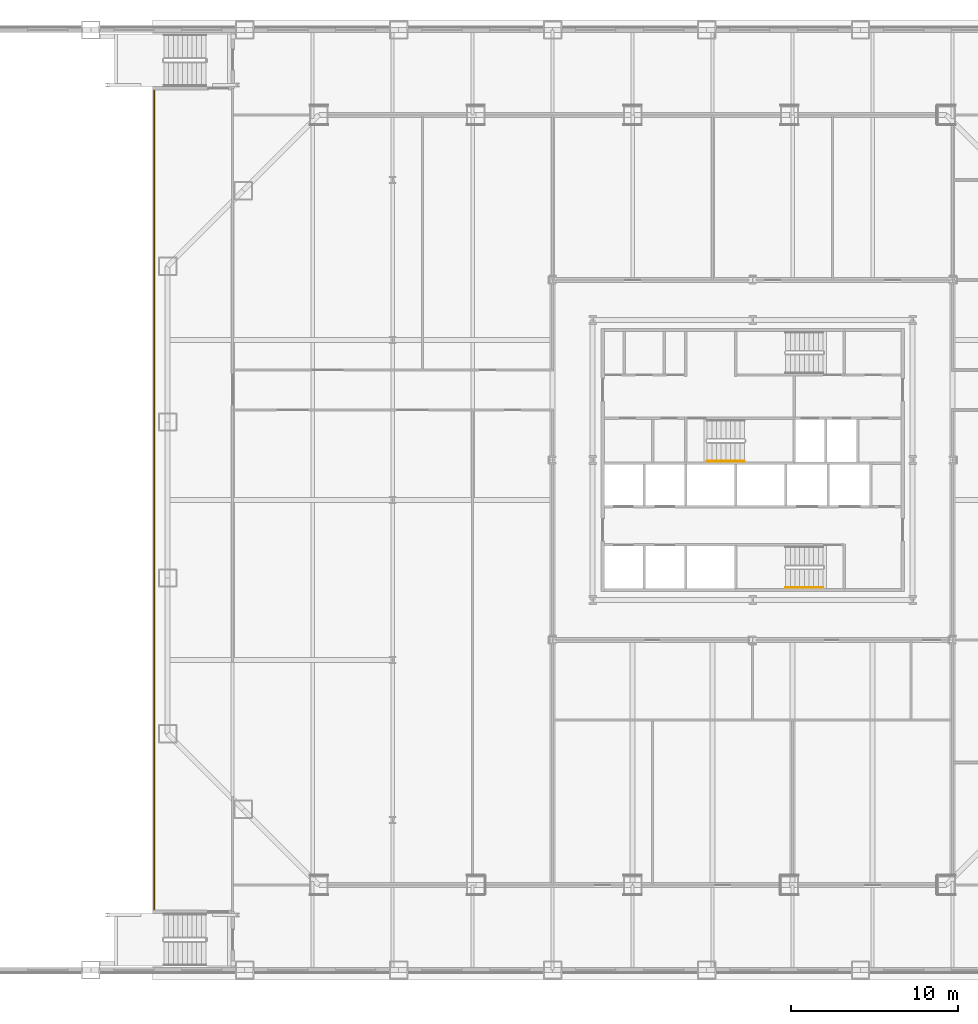
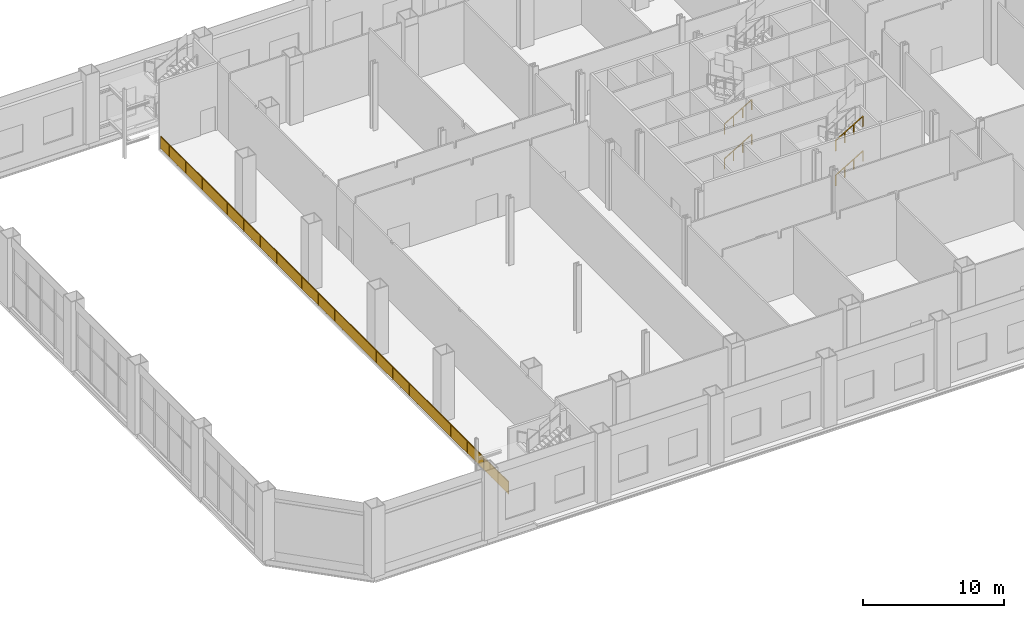
# One storey, part 25 of 31: 5 railings.
"""IFC4 building model written with IfcOpenShell, lengths in metres."""

import ifcopenshell
import ifcopenshell.guid

model = None  # the IFC model being written
_history = None  # IfcOwnerHistory: only IFC2X3 demands one
_inside = {}  # id of a spatial element -> (the spatial element, [elements in it])
_under = {}  # id of a project, library or spatial element -> (it, [spatial elements below it])
_declared = {}  # id of a project -> (the project, [libraries it declares])
_typed = {}  # id of a type object -> (the type object, [elements of that type])
_made_of = {}  # id of a material, layer set ... -> (it, [elements and type objects made of it])


def new_model(schema):
    """Start an empty IFC model of exactly this schema.

    Asked for "IFC4X3", IfcOpenShell would pick the latest addendum, in which some entities
    have other attributes; the version numbers below select the first issue.
    IFC2X3 requires an IfcOwnerHistory on every rooted entity: one is made here for all.
    """
    global model, _history
    if schema == "IFC4X3":
        model = ifcopenshell.file(schema_version=(4, 3, 0, 0))
    else:
        model = ifcopenshell.file(schema=schema)
    _inside.clear()
    _under.clear()
    _declared.clear()
    _typed.clear()
    _made_of.clear()
    _history = None
    if model.schema == "IFC2X3":
        org = make("IfcOrganization", Name="unknown")
        user = make(
            "IfcPersonAndOrganization",
            ThePerson=make("IfcPerson", FamilyName="unknown"),
            TheOrganization=org,
        )
        app = make(
            "IfcApplication",
            ApplicationDeveloper=org,
            Version="unknown",
            ApplicationFullName="unknown",
            ApplicationIdentifier="unknown",
        )
        _history = make(
            "IfcOwnerHistory",
            OwningUser=user,
            OwningApplication=app,
            ChangeAction="ADDED",
            CreationDate=0,
        )
    return model


def make(cls, **values):
    """One entity of the class cls with the attributes given. An attribute that is None is left unset."""
    return model.create_entity(
        cls, **{name: value for name, value in values.items() if value is not None}
    )


def rooted(cls, **values):
    """An entity with a GlobalId (a new one), such as an element, a storey or a relation."""
    return make(cls, GlobalId=ifcopenshell.guid.new(), OwnerHistory=_history, **values)


def si_unit(unit_type, name, prefix=None):
    """IfcSIUnit, for example si_unit("LENGTHUNIT", "METRE", prefix="MILLI")."""
    return make("IfcSIUnit", UnitType=unit_type, Prefix=prefix, Name=name)


def assignment(units):
    """IfcUnitAssignment: the units of a project."""
    return None if units is None else make("IfcUnitAssignment", Units=units)


def point(xyz):
    """IfcCartesianPoint."""
    return None if xyz is None else make("IfcCartesianPoint", Coordinates=xyz)


def direction(xyz):
    """IfcDirection."""
    return None if xyz is None else make("IfcDirection", DirectionRatios=xyz)


def frame(location, z_axis=None, x_axis=None):
    """IfcAxis2Placement3D, a coordinate frame: its origin and axes. An axis left out is left unset."""
    return make(
        "IfcAxis2Placement3D",
        Location=point(location),
        Axis=direction(z_axis),
        RefDirection=direction(x_axis),
    )


def frame_2d(location, x_axis=None):
    """IfcAxis2Placement2D, a coordinate frame in the plane: its origin and x axis."""
    return make(
        "IfcAxis2Placement2D", Location=point(location), RefDirection=direction(x_axis)
    )


def origin():
    """The frame at (0, 0, 0) with its axes left unset."""
    return frame((0.0, 0.0, 0.0))


def origin_2d():
    """The frame at (0, 0) in the plane with its x axis left unset."""
    return frame_2d((0.0, 0.0))


def place(relative_to, where):
    """IfcLocalPlacement: puts the frame where relative to a parent placement (None: the world)."""
    return make(
        "IfcLocalPlacement", PlacementRelTo=relative_to, RelativePlacement=where
    )


def context(
    kind, dimensions, precision=None, world=None, true_north=None, identifier=None
):
    """IfcGeometricRepresentationContext, for example the 3D "Model" context."""
    return make(
        "IfcGeometricRepresentationContext",
        ContextIdentifier=identifier,
        ContextType=kind,
        CoordinateSpaceDimension=dimensions,
        Precision=precision,
        WorldCoordinateSystem=world,
        TrueNorth=true_north,
    )


def subcontext(parent, identifier, kind, view, scale=None):
    """IfcGeometricRepresentationSubContext, for example "Body" below "Model"."""
    return make(
        "IfcGeometricRepresentationSubContext",
        ContextIdentifier=identifier,
        ContextType=kind,
        ParentContext=parent,
        TargetScale=scale,
        TargetView=view,
    )


def project(units=None, contexts=None):
    """IfcProject with its units and contexts."""
    return rooted(
        "IfcProject",
        Name="project",
        RepresentationContexts=contexts,
        UnitsInContext=assignment(units),
    )


def spatial(cls, under=None, at=None, **own):
    """A site, building, storey or space (cls), placed at a placement, below another one or the project."""
    s = rooted(cls, ObjectPlacement=at, **own)
    if under is not None:
        _under.setdefault(under.id(), (under, []))[1].append(s)
    return s


def polyline(points):
    """IfcPolyline through the points."""
    return make("IfcPolyline", Points=[point(p) for p in points])


def profile(cls, at=None, kind="AREA", **sizes):
    """A parametric profile (cls). Its sizes go by their IFC names, for example OverallWidth=200.0."""
    return make(cls, ProfileType=kind, Position=at, **sizes)


def rectangle(**sizes):
    """IfcRectangleProfileDef."""
    return profile("IfcRectangleProfileDef", **sizes)


def outline(outer, holes=None, kind="AREA"):
    """IfcArbitraryClosedProfileDef: a profile drawn as a closed curve; with holes, ...WithVoids."""
    if holes is None:
        return make("IfcArbitraryClosedProfileDef", ProfileType=kind, OuterCurve=outer)
    return make(
        "IfcArbitraryProfileDefWithVoids",
        ProfileType=kind,
        OuterCurve=outer,
        InnerCurves=holes,
    )


def extrude(swept, where, along, depth):
    """IfcExtrudedAreaSolid: the profile swept, set in the frame where, extruded along a direction by depth."""
    return make(
        "IfcExtrudedAreaSolid",
        SweptArea=swept,
        Position=where,
        ExtrudedDirection=direction(along),
        Depth=depth,
    )


def shape(context_of_items, identifier, shape_type, items):
    """IfcShapeRepresentation: the items that make up one representation, for example the "Body"."""
    return make(
        "IfcShapeRepresentation",
        ContextOfItems=context_of_items,
        RepresentationIdentifier=identifier,
        RepresentationType=shape_type,
        Items=items,
    )


def material(Name=None, Category=None):
    """IfcMaterial."""
    return make("IfcMaterial", Name=Name, Category=Category)


def made_of(thing, what):
    """Note that an element or type object is made of a material, layer set ...; save() writes the relation."""
    if what is not None:
        _made_of.setdefault(what.id(), (what, []))[1].append(thing)
    return thing


def type_object(cls, material=None, **own):
    """A type object (cls), such as IfcWallType, which elements share."""
    return made_of(rooted(cls, **own), material)


def element(
    cls,
    number,
    at=None,
    inside=None,
    cuts=None,
    type_object=None,
    material=None,
    context=None,
    identifier="Body",
    shape_type=None,
    held_by="IfcProductDefinitionShape",
    body=None,
    shapes=None,
    **own,
):
    """One element of the class cls, such as IfcWall. Its Tag is "e" and its number.

    at: its placement. inside: the storey or other place that contains it. cuts: it is an
    opening in that element (IfcRelVoidsElement). A single representation is given by context,
    identifier, shape_type and body (its items); several are given by shapes. held_by: the class
    of the entity that holds the representations. save() writes the other relations.
    """
    e = rooted(cls, Tag="e%d" % number, ObjectPlacement=at, **own)
    if body is not None:
        shapes = [shape(context, identifier, shape_type, body)]
    if shapes is not None:
        e.Representation = make(held_by, Representations=shapes)
    if inside is not None:
        _inside.setdefault(inside.id(), (inside, []))[1].append(e)
    if cuts is not None:
        rooted(
            "IfcRelVoidsElement", RelatingBuildingElement=cuts, RelatedOpeningElement=e
        )
    if type_object is not None:
        _typed.setdefault(type_object.id(), (type_object, []))[1].append(e)
    return made_of(e, material)


def aggregate(whole, parts):
    """IfcRelAggregates: a whole, such as a stair, and the parts it consists of."""
    return rooted("IfcRelAggregates", RelatingObject=whole, RelatedObjects=parts)


def save(model, path):
    """Write the relations noted so far, then the file.

    IfcRelAggregates (storeys below a building ...), IfcRelContainedInSpatialStructure (elements
    in a storey), IfcRelDefinesByType, IfcRelAssociatesMaterial and IfcRelDeclares: one each for
    every whole, place, type object, material and project.
    """
    for whole, parts in _under.values():
        aggregate(whole, parts)
    for where, things in _inside.values():
        rooted(
            "IfcRelContainedInSpatialStructure",
            RelatedElements=things,
            RelatingStructure=where,
        )
    for kind, things in _typed.values():
        rooted("IfcRelDefinesByType", RelatedObjects=things, RelatingType=kind)
    for what, things in _made_of.values():
        rooted("IfcRelAssociatesMaterial", RelatedObjects=things, RelatingMaterial=what)
    for by, libraries in _declared.values():
        rooted("IfcRelDeclares", RelatingContext=by, RelatedDefinitions=libraries)
    model.write(path)


model = new_model("IFC4")

# Units and contexts
model_context = context("Model", 3, precision=1e-05, world=origin(), true_north=direction((0.0, 1.0)))
body_context = subcontext(model_context, "Body", "Model", "MODEL_VIEW")
ifc_project = project(units=[si_unit("LENGTHUNIT", "METRE"), si_unit("AREAUNIT", "SQUARE_METRE"), si_unit("VOLUMEUNIT", "CUBIC_METRE"), si_unit("PLANEANGLEUNIT", "RADIAN"), si_unit("MASSUNIT", "GRAM", prefix="KILO")], contexts=[model_context])

# Site, building, storey
site_placement = place(None, origin())
site = spatial("IfcSite", under=ifc_project, at=site_placement, CompositionType="ELEMENT")
building_placement = place(site_placement, origin())
building = spatial("IfcBuilding", under=site, at=building_placement, Name="Cairn Pilgrim Tower", CompositionType="ELEMENT")
storey_placement = place(building_placement, frame((0.0, 0.0, 15.0)))
storey = spatial("IfcBuildingStorey", under=building, at=storey_placement, Name="L02", CompositionType="ELEMENT", Elevation=15.0)

# Railings
ifc_material_1 = material(Name="Bronze anodised aluminium rail and posts with laminated glass infill", Category="aluminium")
railing_type_1 = type_object("IfcRailingType", Name="GALLERY GUARD 1100", PredefinedType="GUARDRAIL", material=ifc_material_1)
railing_placement = place(storey_placement, frame((-28.699951171875, -24.60009765625, 0.0)))
element("IfcRailing", 1, at=railing_placement, inside=storey, type_object=railing_type_1, Name="PRAYER GALLERY GUARD", PredefinedType="GUARDRAIL", context=body_context, shape_type="SweptSolid", body=[
    extrude(rectangle(XDim=0.050048828125, YDim=0.050048828125, at=origin_2d()), frame((0.0, 0.0, 1.0751953125), z_axis=(0.0, 1.0, 0.0), x_axis=(-1.0, 0.0, 0.0)), (0.0, 0.0, 1.0), 49.2001953125),
    extrude(rectangle(XDim=0.0400390625, YDim=0.0400390625, at=origin_2d()), origin(), (0.0, 0.0, 1.0), 1.050048828125),
    extrude(rectangle(XDim=0.0400390625, YDim=0.0400390625, at=origin_2d()), frame((0.0, 1.17138671875, 0.0)), (0.0, 0.0, 1.0), 1.050048828125),
    extrude(rectangle(XDim=0.0400390625, YDim=0.0400390625, at=origin_2d()), frame((0.0, 2.3427734375, 0.0)), (0.0, 0.0, 1.0), 1.050048828125),
    extrude(rectangle(XDim=0.0400390625, YDim=0.0400390625, at=origin_2d()), frame((0.0, 3.514404296875, 0.0)), (0.0, 0.0, 1.0), 1.050048828125),
    extrude(rectangle(XDim=0.0400390625, YDim=0.0400390625, at=origin_2d()), frame((0.0, 4.685791015625, 0.0)), (0.0, 0.0, 1.0), 1.050048828125),
    extrude(rectangle(XDim=0.0400390625, YDim=0.0400390625, at=origin_2d()), frame((0.0, 5.857177734375, 0.0)), (0.0, 0.0, 1.0), 1.050048828125),
    extrude(rectangle(XDim=0.0400390625, YDim=0.0400390625, at=origin_2d()), frame((0.0, 7.028564453125, 0.0)), (0.0, 0.0, 1.0), 1.050048828125),
    extrude(rectangle(XDim=0.0400390625, YDim=0.0400390625, at=origin_2d()), frame((0.0, 8.199951171875, 0.0)), (0.0, 0.0, 1.0), 1.050048828125),
    extrude(rectangle(XDim=0.0400390625, YDim=0.0400390625, at=origin_2d()), frame((0.0, 9.37158203125, 0.0)), (0.0, 0.0, 1.0), 1.050048828125),
    extrude(rectangle(XDim=0.0400390625, YDim=0.0400390625, at=origin_2d()), frame((0.0, 10.54296875, 0.0)), (0.0, 0.0, 1.0), 1.050048828125),
    extrude(rectangle(XDim=0.0400390625, YDim=0.0400390625, at=origin_2d()), frame((0.0, 11.71435546875, 0.0)), (0.0, 0.0, 1.0), 1.050048828125),
    extrude(rectangle(XDim=0.0400390625, YDim=0.0400390625, at=origin_2d()), frame((0.0, 12.8857421875, 0.0)), (0.0, 0.0, 1.0), 1.050048828125),
    extrude(rectangle(XDim=0.0400390625, YDim=0.0400390625, at=origin_2d()), frame((0.0, 14.05712890625, 0.0)), (0.0, 0.0, 1.0), 1.050048828125),
    extrude(rectangle(XDim=0.0400390625, YDim=0.0400390625, at=origin_2d()), frame((0.0, 15.228515625, 0.0)), (0.0, 0.0, 1.0), 1.050048828125),
    extrude(rectangle(XDim=0.0400390625, YDim=0.0400390625, at=origin_2d()), frame((0.0, 16.400146484375, 0.0)), (0.0, 0.0, 1.0), 1.050048828125),
    extrude(rectangle(XDim=0.0400390625, YDim=0.0400390625, at=origin_2d()), frame((0.0, 17.571533203125, 0.0)), (0.0, 0.0, 1.0), 1.050048828125),
    extrude(rectangle(XDim=0.0400390625, YDim=0.0400390625, at=origin_2d()), frame((0.0, 18.742919921875, 0.0)), (0.0, 0.0, 1.0), 1.050048828125),
    extrude(rectangle(XDim=0.0400390625, YDim=0.0400390625, at=origin_2d()), frame((0.0, 19.914306640625, 0.0)), (0.0, 0.0, 1.0), 1.050048828125),
    extrude(rectangle(XDim=0.0400390625, YDim=0.0400390625, at=origin_2d()), frame((0.0, 21.085693359375, 0.0)), (0.0, 0.0, 1.0), 1.050048828125),
    extrude(rectangle(XDim=0.0400390625, YDim=0.0400390625, at=origin_2d()), frame((0.0, 22.25732421875, 0.0)), (0.0, 0.0, 1.0), 1.050048828125),
    extrude(rectangle(XDim=0.0400390625, YDim=0.0400390625, at=origin_2d()), frame((0.0, 23.4287109375, 0.0)), (0.0, 0.0, 1.0), 1.050048828125),
    extrude(rectangle(XDim=0.0400390625, YDim=0.0400390625, at=origin_2d()), frame((0.0, 24.60009765625, 0.0)), (0.0, 0.0, 1.0), 1.050048828125),
    extrude(rectangle(XDim=0.0400390625, YDim=0.0400390625, at=origin_2d()), frame((0.0, 25.771484375, 0.0)), (0.0, 0.0, 1.0), 1.050048828125),
    extrude(rectangle(XDim=0.0400390625, YDim=0.0400390625, at=origin_2d()), frame((0.0, 26.94287109375, 0.0)), (0.0, 0.0, 1.0), 1.050048828125),
    extrude(rectangle(XDim=0.0400390625, YDim=0.0400390625, at=origin_2d()), frame((0.0, 28.114501953125, 0.0)), (0.0, 0.0, 1.0), 1.050048828125),
    extrude(rectangle(XDim=0.0400390625, YDim=0.0400390625, at=origin_2d()), frame((0.0, 29.285888671875, 0.0)), (0.0, 0.0, 1.0), 1.050048828125),
    extrude(rectangle(XDim=0.0400390625, YDim=0.0400390625, at=origin_2d()), frame((0.0, 30.457275390625, 0.0)), (0.0, 0.0, 1.0), 1.050048828125),
    extrude(rectangle(XDim=0.0400390625, YDim=0.0400390625, at=origin_2d()), frame((0.0, 31.628662109375, 0.0)), (0.0, 0.0, 1.0), 1.050048828125),
    extrude(rectangle(XDim=0.0400390625, YDim=0.0400390625, at=origin_2d()), frame((0.0, 32.800048828125, 0.0)), (0.0, 0.0, 1.0), 1.050048828125),
    extrude(rectangle(XDim=0.0400390625, YDim=0.0400390625, at=origin_2d()), frame((0.0, 33.9716796875, 0.0)), (0.0, 0.0, 1.0), 1.050048828125),
    extrude(rectangle(XDim=0.0400390625, YDim=0.0400390625, at=origin_2d()), frame((0.0, 35.14306640625, 0.0)), (0.0, 0.0, 1.0), 1.050048828125),
    extrude(rectangle(XDim=0.0400390625, YDim=0.0400390625, at=origin_2d()), frame((0.0, 36.314453125, 0.0)), (0.0, 0.0, 1.0), 1.050048828125),
    extrude(rectangle(XDim=0.0400390625, YDim=0.0400390625, at=origin_2d()), frame((0.0, 37.48583984375, 0.0)), (0.0, 0.0, 1.0), 1.050048828125),
    extrude(rectangle(XDim=0.0400390625, YDim=0.0400390625, at=origin_2d()), frame((0.0, 38.6572265625, 0.0)), (0.0, 0.0, 1.0), 1.050048828125),
    extrude(rectangle(XDim=0.0400390625, YDim=0.0400390625, at=origin_2d()), frame((0.0, 39.82861328125, 0.0)), (0.0, 0.0, 1.0), 1.050048828125),
    extrude(rectangle(XDim=0.0400390625, YDim=0.0400390625, at=origin_2d()), frame((0.0, 41.000244140625, 0.0)), (0.0, 0.0, 1.0), 1.050048828125),
    extrude(rectangle(XDim=0.0400390625, YDim=0.0400390625, at=origin_2d()), frame((0.0, 42.171630859375, 0.0)), (0.0, 0.0, 1.0), 1.050048828125),
    extrude(rectangle(XDim=0.0400390625, YDim=0.0400390625, at=origin_2d()), frame((0.0, 43.343017578125, 0.0)), (0.0, 0.0, 1.0), 1.050048828125),
    extrude(rectangle(XDim=0.0400390625, YDim=0.0400390625, at=origin_2d()), frame((0.0, 44.514404296875, 0.0)), (0.0, 0.0, 1.0), 1.050048828125),
    extrude(rectangle(XDim=0.0400390625, YDim=0.0400390625, at=origin_2d()), frame((0.0, 45.685791015625, 0.0)), (0.0, 0.0, 1.0), 1.050048828125),
    extrude(rectangle(XDim=0.0400390625, YDim=0.0400390625, at=origin_2d()), frame((0.0, 46.857421875, 0.0)), (0.0, 0.0, 1.0), 1.050048828125),
    extrude(rectangle(XDim=0.0400390625, YDim=0.0400390625, at=origin_2d()), frame((0.0, 48.02880859375, 0.0)), (0.0, 0.0, 1.0), 1.050048828125),
    extrude(rectangle(XDim=0.0400390625, YDim=0.0400390625, at=origin_2d()), frame((0.0, 49.2001953125, 0.0)), (0.0, 0.0, 1.0), 1.050048828125),
    extrude(outline(polyline([(0.02001953125, 0.0), (1.1513671875, 0.0), (1.1513671875, 1.050048828125), (0.02001953125, 1.050048828125), (0.02001953125, 0.0)])), frame((-0.005859375, 0.0, 0.0), z_axis=(1.0, 0.0, 0.0), x_axis=(0.0, 1.0, 0.0)), (0.0, 0.0, 1.0), 0.011962890625),
    extrude(outline(polyline([(0.02001953125, 0.0), (1.1513671875, 0.0), (1.1513671875, 1.050048828125), (0.02001953125, 1.050048828125), (0.02001953125, 0.0)])), frame((-0.005859375, 1.17138671875, 0.0), z_axis=(1.0, 0.0, 0.0), x_axis=(0.0, 1.0, 0.0)), (0.0, 0.0, 1.0), 0.011962890625),
    extrude(outline(polyline([(0.02001953125, 0.0), (1.1513671875, 0.0), (1.1513671875, 1.050048828125), (0.02001953125, 1.050048828125), (0.02001953125, 0.0)])), frame((-0.005859375, 2.3427734375, 0.0), z_axis=(1.0, 0.0, 0.0), x_axis=(0.0, 1.0, 0.0)), (0.0, 0.0, 1.0), 0.011962890625),
    extrude(outline(polyline([(0.02001953125, 0.0), (1.1513671875, 0.0), (1.1513671875, 1.050048828125), (0.02001953125, 1.050048828125), (0.02001953125, 0.0)])), frame((-0.005859375, 3.514404296875, 0.0), z_axis=(1.0, 0.0, 0.0), x_axis=(0.0, 1.0, 0.0)), (0.0, 0.0, 1.0), 0.011962890625),
    extrude(outline(polyline([(0.02001953125, 0.0), (1.1513671875, 0.0), (1.1513671875, 1.050048828125), (0.02001953125, 1.050048828125), (0.02001953125, 0.0)])), frame((-0.005859375, 4.685791015625, 0.0), z_axis=(1.0, 0.0, 0.0), x_axis=(0.0, 1.0, 0.0)), (0.0, 0.0, 1.0), 0.011962890625),
    extrude(outline(polyline([(0.02001953125, 0.0), (1.1513671875, 0.0), (1.1513671875, 1.050048828125), (0.02001953125, 1.050048828125), (0.02001953125, 0.0)])), frame((-0.005859375, 5.857177734375, 0.0), z_axis=(1.0, 0.0, 0.0), x_axis=(0.0, 1.0, 0.0)), (0.0, 0.0, 1.0), 0.011962890625),
    extrude(outline(polyline([(0.02001953125, 0.0), (1.1513671875, 0.0), (1.1513671875, 1.050048828125), (0.02001953125, 1.050048828125), (0.02001953125, 0.0)])), frame((-0.005859375, 7.028564453125, 0.0), z_axis=(1.0, 0.0, 0.0), x_axis=(0.0, 1.0, 0.0)), (0.0, 0.0, 1.0), 0.011962890625),
    extrude(outline(polyline([(0.02001953125, 0.0), (1.1513671875, 0.0), (1.1513671875, 1.050048828125), (0.02001953125, 1.050048828125), (0.02001953125, 0.0)])), frame((-0.005859375, 8.199951171875, 0.0), z_axis=(1.0, 0.0, 0.0), x_axis=(0.0, 1.0, 0.0)), (0.0, 0.0, 1.0), 0.011962890625),
    extrude(outline(polyline([(0.02001953125, 0.0), (1.1513671875, 0.0), (1.1513671875, 1.050048828125), (0.02001953125, 1.050048828125), (0.02001953125, 0.0)])), frame((-0.005859375, 9.37158203125, 0.0), z_axis=(1.0, 0.0, 0.0), x_axis=(0.0, 1.0, 0.0)), (0.0, 0.0, 1.0), 0.011962890625),
    extrude(outline(polyline([(0.02001953125, 0.0), (1.1513671875, 0.0), (1.1513671875, 1.050048828125), (0.02001953125, 1.050048828125), (0.02001953125, 0.0)])), frame((-0.005859375, 10.54296875, 0.0), z_axis=(1.0, 0.0, 0.0), x_axis=(0.0, 1.0, 0.0)), (0.0, 0.0, 1.0), 0.011962890625),
    extrude(outline(polyline([(0.02001953125, 0.0), (1.1513671875, 0.0), (1.1513671875, 1.050048828125), (0.02001953125, 1.050048828125), (0.02001953125, 0.0)])), frame((-0.005859375, 11.71435546875, 0.0), z_axis=(1.0, 0.0, 0.0), x_axis=(0.0, 1.0, 0.0)), (0.0, 0.0, 1.0), 0.011962890625),
    extrude(outline(polyline([(0.02001953125, 0.0), (1.1513671875, 0.0), (1.1513671875, 1.050048828125), (0.02001953125, 1.050048828125), (0.02001953125, 0.0)])), frame((-0.005859375, 12.8857421875, 0.0), z_axis=(1.0, 0.0, 0.0), x_axis=(0.0, 1.0, 0.0)), (0.0, 0.0, 1.0), 0.011962890625),
    extrude(outline(polyline([(0.02001953125, 0.0), (1.1513671875, 0.0), (1.1513671875, 1.050048828125), (0.02001953125, 1.050048828125), (0.02001953125, 0.0)])), frame((-0.005859375, 14.05712890625, 0.0), z_axis=(1.0, 0.0, 0.0), x_axis=(0.0, 1.0, 0.0)), (0.0, 0.0, 1.0), 0.011962890625),
    extrude(outline(polyline([(0.02001953125, 0.0), (1.1513671875, 0.0), (1.1513671875, 1.050048828125), (0.02001953125, 1.050048828125), (0.02001953125, 0.0)])), frame((-0.005859375, 15.228515625, 0.0), z_axis=(1.0, 0.0, 0.0), x_axis=(0.0, 1.0, 0.0)), (0.0, 0.0, 1.0), 0.011962890625),
    extrude(outline(polyline([(0.02001953125, 0.0), (1.1513671875, 0.0), (1.1513671875, 1.050048828125), (0.02001953125, 1.050048828125), (0.02001953125, 0.0)])), frame((-0.005859375, 16.400146484375, 0.0), z_axis=(1.0, 0.0, 0.0), x_axis=(0.0, 1.0, 0.0)), (0.0, 0.0, 1.0), 0.011962890625),
    extrude(outline(polyline([(0.02001953125, 0.0), (1.1513671875, 0.0), (1.1513671875, 1.050048828125), (0.02001953125, 1.050048828125), (0.02001953125, 0.0)])), frame((-0.005859375, 17.571533203125, 0.0), z_axis=(1.0, 0.0, 0.0), x_axis=(0.0, 1.0, 0.0)), (0.0, 0.0, 1.0), 0.011962890625),
    extrude(outline(polyline([(0.02001953125, 0.0), (1.1513671875, 0.0), (1.1513671875, 1.050048828125), (0.02001953125, 1.050048828125), (0.02001953125, 0.0)])), frame((-0.005859375, 18.742919921875, 0.0), z_axis=(1.0, 0.0, 0.0), x_axis=(0.0, 1.0, 0.0)), (0.0, 0.0, 1.0), 0.011962890625),
    extrude(outline(polyline([(0.02001953125, 0.0), (1.1513671875, 0.0), (1.1513671875, 1.050048828125), (0.02001953125, 1.050048828125), (0.02001953125, 0.0)])), frame((-0.005859375, 19.914306640625, 0.0), z_axis=(1.0, 0.0, 0.0), x_axis=(0.0, 1.0, 0.0)), (0.0, 0.0, 1.0), 0.011962890625),
    extrude(outline(polyline([(0.02001953125, 0.0), (1.1513671875, 0.0), (1.1513671875, 1.050048828125), (0.02001953125, 1.050048828125), (0.02001953125, 0.0)])), frame((-0.005859375, 21.085693359375, 0.0), z_axis=(1.0, 0.0, 0.0), x_axis=(0.0, 1.0, 0.0)), (0.0, 0.0, 1.0), 0.011962890625),
    extrude(outline(polyline([(0.02001953125, 0.0), (1.1513671875, 0.0), (1.1513671875, 1.050048828125), (0.02001953125, 1.050048828125), (0.02001953125, 0.0)])), frame((-0.005859375, 22.25732421875, 0.0), z_axis=(1.0, 0.0, 0.0), x_axis=(0.0, 1.0, 0.0)), (0.0, 0.0, 1.0), 0.011962890625),
    extrude(outline(polyline([(0.02001953125, 0.0), (1.1513671875, 0.0), (1.1513671875, 1.050048828125), (0.02001953125, 1.050048828125), (0.02001953125, 0.0)])), frame((-0.005859375, 23.4287109375, 0.0), z_axis=(1.0, 0.0, 0.0), x_axis=(0.0, 1.0, 0.0)), (0.0, 0.0, 1.0), 0.011962890625),
    extrude(outline(polyline([(0.02001953125, 0.0), (1.1513671875, 0.0), (1.1513671875, 1.050048828125), (0.02001953125, 1.050048828125), (0.02001953125, 0.0)])), frame((-0.005859375, 24.60009765625, 0.0), z_axis=(1.0, 0.0, 0.0), x_axis=(0.0, 1.0, 0.0)), (0.0, 0.0, 1.0), 0.011962890625),
    extrude(outline(polyline([(0.02001953125, 0.0), (1.1513671875, 0.0), (1.1513671875, 1.050048828125), (0.02001953125, 1.050048828125), (0.02001953125, 0.0)])), frame((-0.005859375, 25.771484375, 0.0), z_axis=(1.0, 0.0, 0.0), x_axis=(0.0, 1.0, 0.0)), (0.0, 0.0, 1.0), 0.011962890625),
    extrude(outline(polyline([(0.02001953125, 0.0), (1.1513671875, 0.0), (1.1513671875, 1.050048828125), (0.02001953125, 1.050048828125), (0.02001953125, 0.0)])), frame((-0.005859375, 26.94287109375, 0.0), z_axis=(1.0, 0.0, 0.0), x_axis=(0.0, 1.0, 0.0)), (0.0, 0.0, 1.0), 0.011962890625),
    extrude(outline(polyline([(0.02001953125, 0.0), (1.1513671875, 0.0), (1.1513671875, 1.050048828125), (0.02001953125, 1.050048828125), (0.02001953125, 0.0)])), frame((-0.005859375, 28.114501953125, 0.0), z_axis=(1.0, 0.0, 0.0), x_axis=(0.0, 1.0, 0.0)), (0.0, 0.0, 1.0), 0.011962890625),
    extrude(outline(polyline([(0.02001953125, 0.0), (1.1513671875, 0.0), (1.1513671875, 1.050048828125), (0.02001953125, 1.050048828125), (0.02001953125, 0.0)])), frame((-0.005859375, 29.285888671875, 0.0), z_axis=(1.0, 0.0, 0.0), x_axis=(0.0, 1.0, 0.0)), (0.0, 0.0, 1.0), 0.011962890625),
    extrude(outline(polyline([(0.02001953125, 0.0), (1.1513671875, 0.0), (1.1513671875, 1.050048828125), (0.02001953125, 1.050048828125), (0.02001953125, 0.0)])), frame((-0.005859375, 30.457275390625, 0.0), z_axis=(1.0, 0.0, 0.0), x_axis=(0.0, 1.0, 0.0)), (0.0, 0.0, 1.0), 0.011962890625),
    extrude(outline(polyline([(0.02001953125, 0.0), (1.1513671875, 0.0), (1.1513671875, 1.050048828125), (0.02001953125, 1.050048828125), (0.02001953125, 0.0)])), frame((-0.005859375, 31.628662109375, 0.0), z_axis=(1.0, 0.0, 0.0), x_axis=(0.0, 1.0, 0.0)), (0.0, 0.0, 1.0), 0.011962890625),
    extrude(outline(polyline([(0.02001953125, 0.0), (1.1513671875, 0.0), (1.1513671875, 1.050048828125), (0.02001953125, 1.050048828125), (0.02001953125, 0.0)])), frame((-0.005859375, 32.800048828125, 0.0), z_axis=(1.0, 0.0, 0.0), x_axis=(0.0, 1.0, 0.0)), (0.0, 0.0, 1.0), 0.011962890625),
    extrude(outline(polyline([(0.02001953125, 0.0), (1.1513671875, 0.0), (1.1513671875, 1.050048828125), (0.02001953125, 1.050048828125), (0.02001953125, 0.0)])), frame((-0.005859375, 33.9716796875, 0.0), z_axis=(1.0, 0.0, 0.0), x_axis=(0.0, 1.0, 0.0)), (0.0, 0.0, 1.0), 0.011962890625),
    extrude(outline(polyline([(0.02001953125, 0.0), (1.1513671875, 0.0), (1.1513671875, 1.050048828125), (0.02001953125, 1.050048828125), (0.02001953125, 0.0)])), frame((-0.005859375, 35.14306640625, 0.0), z_axis=(1.0, 0.0, 0.0), x_axis=(0.0, 1.0, 0.0)), (0.0, 0.0, 1.0), 0.011962890625),
    extrude(outline(polyline([(0.02001953125, 0.0), (1.1513671875, 0.0), (1.1513671875, 1.050048828125), (0.02001953125, 1.050048828125), (0.02001953125, 0.0)])), frame((-0.005859375, 36.314453125, 0.0), z_axis=(1.0, 0.0, 0.0), x_axis=(0.0, 1.0, 0.0)), (0.0, 0.0, 1.0), 0.011962890625),
    extrude(outline(polyline([(0.02001953125, 0.0), (1.1513671875, 0.0), (1.1513671875, 1.050048828125), (0.02001953125, 1.050048828125), (0.02001953125, 0.0)])), frame((-0.005859375, 37.48583984375, 0.0), z_axis=(1.0, 0.0, 0.0), x_axis=(0.0, 1.0, 0.0)), (0.0, 0.0, 1.0), 0.011962890625),
    extrude(outline(polyline([(0.02001953125, 0.0), (1.1513671875, 0.0), (1.1513671875, 1.050048828125), (0.02001953125, 1.050048828125), (0.02001953125, 0.0)])), frame((-0.005859375, 38.6572265625, 0.0), z_axis=(1.0, 0.0, 0.0), x_axis=(0.0, 1.0, 0.0)), (0.0, 0.0, 1.0), 0.011962890625),
    extrude(outline(polyline([(0.02001953125, 0.0), (1.1513671875, 0.0), (1.1513671875, 1.050048828125), (0.02001953125, 1.050048828125), (0.02001953125, 0.0)])), frame((-0.005859375, 39.82861328125, 0.0), z_axis=(1.0, 0.0, 0.0), x_axis=(0.0, 1.0, 0.0)), (0.0, 0.0, 1.0), 0.011962890625),
    extrude(outline(polyline([(0.02001953125, 0.0), (1.1513671875, 0.0), (1.1513671875, 1.050048828125), (0.02001953125, 1.050048828125), (0.02001953125, 0.0)])), frame((-0.005859375, 41.000244140625, 0.0), z_axis=(1.0, 0.0, 0.0), x_axis=(0.0, 1.0, 0.0)), (0.0, 0.0, 1.0), 0.011962890625),
    extrude(outline(polyline([(0.02001953125, 0.0), (1.1513671875, 0.0), (1.1513671875, 1.050048828125), (0.02001953125, 1.050048828125), (0.02001953125, 0.0)])), frame((-0.005859375, 42.171630859375, 0.0), z_axis=(1.0, 0.0, 0.0), x_axis=(0.0, 1.0, 0.0)), (0.0, 0.0, 1.0), 0.011962890625),
    extrude(outline(polyline([(0.02001953125, 0.0), (1.1513671875, 0.0), (1.1513671875, 1.050048828125), (0.02001953125, 1.050048828125), (0.02001953125, 0.0)])), frame((-0.005859375, 43.343017578125, 0.0), z_axis=(1.0, 0.0, 0.0), x_axis=(0.0, 1.0, 0.0)), (0.0, 0.0, 1.0), 0.011962890625),
    extrude(outline(polyline([(0.02001953125, 0.0), (1.1513671875, 0.0), (1.1513671875, 1.050048828125), (0.02001953125, 1.050048828125), (0.02001953125, 0.0)])), frame((-0.005859375, 44.514404296875, 0.0), z_axis=(1.0, 0.0, 0.0), x_axis=(0.0, 1.0, 0.0)), (0.0, 0.0, 1.0), 0.011962890625),
    extrude(outline(polyline([(0.02001953125, 0.0), (1.1513671875, 0.0), (1.1513671875, 1.050048828125), (0.02001953125, 1.050048828125), (0.02001953125, 0.0)])), frame((-0.005859375, 45.685791015625, 0.0), z_axis=(1.0, 0.0, 0.0), x_axis=(0.0, 1.0, 0.0)), (0.0, 0.0, 1.0), 0.011962890625),
    extrude(outline(polyline([(0.02001953125, 0.0), (1.1513671875, 0.0), (1.1513671875, 1.050048828125), (0.02001953125, 1.050048828125), (0.02001953125, 0.0)])), frame((-0.005859375, 46.857421875, 0.0), z_axis=(1.0, 0.0, 0.0), x_axis=(0.0, 1.0, 0.0)), (0.0, 0.0, 1.0), 0.011962890625),
    extrude(outline(polyline([(0.02001953125, 0.0), (1.1513671875, 0.0), (1.1513671875, 1.050048828125), (0.02001953125, 1.050048828125), (0.02001953125, 0.0)])), frame((-0.005859375, 48.02880859375, 0.0), z_axis=(1.0, 0.0, 0.0), x_axis=(0.0, 1.0, 0.0)), (0.0, 0.0, 1.0), 0.011962890625),
])
ifc_material_2 = material(Name="Painted steel", Category="steel")
railing_type_2 = type_object("IfcRailingType", Name="STAIR HANDRAIL 900", PredefinedType="HANDRAIL", material=ifc_material_2)
for number, where, name in (
    (2, (9.18505859375, -5.25, 1.666748046875), "L02 ST-A stair handrail 2"),
    (3, (9.18505859375, -5.25, 4.666748046875), "L02 ST-A stair handrail 4"),
    (4, (4.47509765625, 2.324951171875, 0.166748046875), "L02 ST-B stair handrail 1"),
    (5, (4.47509765625, 2.324951171875, 3.166748046875), "L02 ST-B stair handrail 3"),
):
    element("IfcRailing", number, at=place(storey_placement, frame(where)), inside=storey, type_object=railing_type_2, Name=name, PredefinedType="HANDRAIL", context=body_context, shape_type="SweptSolid", body=[
        extrude(rectangle(XDim=0.048095703125, YDim=0.048095703125, at=origin_2d()), frame((0.0, 0.0, 0.8759765625), z_axis=(0.859305625298, 0.0, 0.511462454469), x_axis=(0.0, 1.0, 0.0)), (0.0, 0.0, 1.0), 2.606689453125),
        extrude(rectangle(XDim=0.0419921875, YDim=0.0419921875, at=origin_2d()), origin(), (0.0, 0.0, 1.0), 0.851806640625),
        extrude(rectangle(XDim=0.0419921875, YDim=0.0419921875, at=origin_2d()), frame((0.74658203125, 0.0, 0.4443359375)), (0.0, 0.0, 1.0), 0.851806640625),
        extrude(rectangle(XDim=0.0419921875, YDim=0.0419921875, at=origin_2d()), frame((1.493408203125, 0.0, 0.888916015625)), (0.0, 0.0, 1.0), 0.851806640625),
        extrude(rectangle(XDim=0.0419921875, YDim=0.0419921875, at=origin_2d()), frame((2.239990234375, 0.0, 1.333251953125)), (0.0, 0.0, 1.0), 0.851806640625),
    ])

save(model, "model.ifc")
